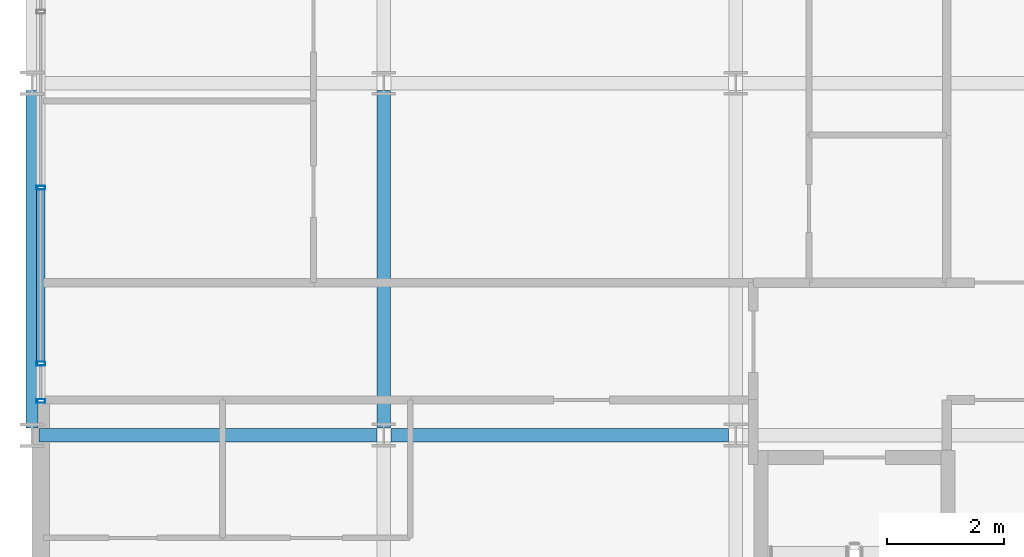
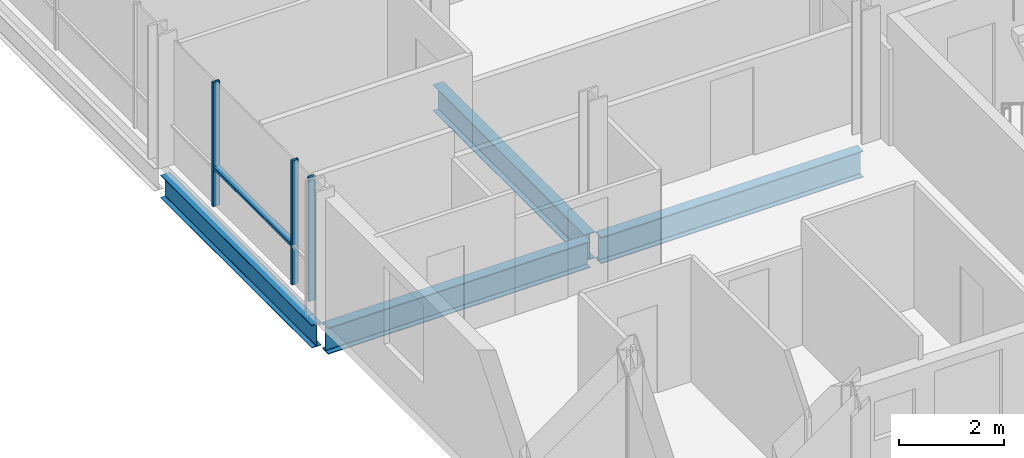
# One storey, part 4 of 41: 4 beams, 4 members, 1 element without a shape of its own.
"""IFC4 building model written with IfcOpenShell, lengths in metres."""

from ifc_helpers import new_model, si_unit, direction, frame, origin, origin_2d, place, context, subcontext, project, spatial, hollow_rectangle, i_section, extrude, material, layer, layer_set, material_profile, profile_set, type_object, element, aggregate, save


model = new_model("IFC4")

# Units and contexts
model_context = context("Model", 3, precision=1e-05, world=origin(), true_north=direction((0.0, 1.0)))
body_context = subcontext(model_context, "Body", "Model", "MODEL_VIEW")
ifc_project = project(units=[si_unit("LENGTHUNIT", "METRE"), si_unit("AREAUNIT", "SQUARE_METRE"), si_unit("VOLUMEUNIT", "CUBIC_METRE"), si_unit("PLANEANGLEUNIT", "RADIAN"), si_unit("MASSUNIT", "GRAM", prefix="KILO")], contexts=[model_context])

# Site, building, storey
site_placement = place(None, origin())
site = spatial("IfcSite", under=ifc_project, at=site_placement, CompositionType="ELEMENT")
building_placement = place(site_placement, origin())
building = spatial("IfcBuilding", under=site, at=building_placement, Name="Brevholm Reach", CompositionType="ELEMENT")
storey_placement = place(building_placement, frame((0.0, 0.0, 157.300048828125)))
storey = spatial("IfcBuildingStorey", under=building, at=storey_placement, Name="L47", CompositionType="ELEMENT", Elevation=157.300048828125)

# Beams
ifc_material_1 = material(Name="Structural Steel S355J2", Category="steel")
ifc_material_profile_1 = material_profile(ifc_material_1, i_section(OverallWidth=0.209228515625, OverallDepth=0.533203125, WebThickness=0.010009765625, FlangeThickness=0.015625, FilletRadius=0.0126953125, at=origin_2d()), Name="UKB 533x210x92")
ifc_profile_set_1 = profile_set([ifc_material_profile_1], Name="Structural Steel S355J2")
beam_type_1 = type_object("IfcBeamType", Name="BM-SP533", PredefinedType="SPANDREL", material=ifc_profile_set_1)
beam_placement = place(storey_placement, frame((0.0, 10.1201171875, -0.486572265625), z_axis=(0.0, 1.0, 0.0), x_axis=(-1.0, 0.0, 0.0)))
element("IfcBeam", 1, at=beam_placement, inside=storey, type_object=beam_type_1, Name="L47 SP-02 Framing Beam", PredefinedType="SPANDREL", context=body_context, shape_type="SweptSolid", body=[
    extrude(i_section(OverallWidth=0.209228515625, OverallDepth=0.533203125, WebThickness=0.010009765625, FlangeThickness=0.015625, FilletRadius=0.0126953125, at=origin_2d()), origin(), (0.0, 0.0, 1.0), 5.759765625),
])
ifc_material_2 = material(Name="Structural Steel S355J2", Category="steel")
ifc_material_profile_2 = material_profile(ifc_material_2, i_section(OverallWidth=0.22900390625, OverallDepth=0.6123046875, WebThickness=0.011962890625, FlangeThickness=0.01953125, FilletRadius=0.0126953125, at=origin_2d()), Name="UKB 610x229x125")
ifc_profile_set_2 = profile_set([ifc_material_profile_2], Name="Structural Steel S355J2")
beam_type_2 = type_object("IfcBeamType", Name="BM-SP610", PredefinedType="SPANDREL", material=ifc_profile_set_2)
for number, where, z_axis, x_axis, name in (
    (2, (0.1201171875, 10.0, -0.526123046875), (1.0, 0.0, 0.0), (0.0, 1.0, 0.0), "L47 SP-01 Framing Beam"),
    (3, (6.1201171875, 10.0, -0.526123046875), (1.0, 0.0, 0.0), (0.0, 1.0, 0.0), "L47 SP-01 Framing Beam"),
    (4, (6.0, 10.1201171875, -0.526123046875), (0.0, 1.0, 0.0), (-1.0, 0.0, 0.0), "L47 SP-01 Framing Beam"),
):
    element("IfcBeam", number, at=place(storey_placement, frame(where, z_axis=z_axis, x_axis=x_axis)), inside=storey, type_object=beam_type_2, Name=name, PredefinedType="SPANDREL", context=body_context, shape_type="SweptSolid", body=[
        extrude(i_section(OverallWidth=0.22900390625, OverallDepth=0.6123046875, WebThickness=0.011962890625, FlangeThickness=0.01953125, FilletRadius=0.0126953125, at=origin_2d()), origin(), (0.0, 0.0, 1.0), 5.759765625),
    ])

# Curtain wall, members
ifc_material_3 = material(Name="Dark Anodised Aluminium 6063-T6 and Solar-Control Glass", Category="aluminium")
ifc_layer = layer(ifc_material_3, 0.14990234375)
ifc_layer_set = layer_set([ifc_layer], Name="Dark Anodised Aluminium 6063-T6 and Solar-Control Glass")
curtain_wall_type = type_object("IfcCurtainWallType", Name="CW-01", PredefinedType="NOTDEFINED", material=ifc_layer_set)
curtain_wall_placement = place(storey_placement, origin())
curtain_wall = element("IfcCurtainWall", 5, at=curtain_wall_placement, inside=storey, type_object=curtain_wall_type, Name="L47 Curtain Wall CW-01", PredefinedType="NOTDEFINED")
ifc_material_4 = material(Name="Dark Anodised Aluminium 6063-T6", Category="aluminium")
ifc_material_profile_3 = material_profile(ifc_material_4, hollow_rectangle(XDim=0.06494140625, YDim=0.14990234375, WallThickness=0.0048828125, InnerFilletRadius=0.0048828125, OuterFilletRadius=0.010009765625, at=origin_2d()), Name="RHS 150x65x5")
ifc_profile_set_3 = profile_set([ifc_material_profile_3], Name="Dark Anodised Aluminium 6063-T6")
member_type_1 = type_object("IfcMemberType", Name="CWM-150", PredefinedType="MULLION", material=ifc_profile_set_3)
member_1_placement = place(storey_placement, frame((0.14990234375, 14.219970703125, 0.0), z_axis=(0.0, 0.0, 1.0), x_axis=(0.0, -1.0, 0.0)))
member_1 = element("IfcMember", 6, at=member_1_placement, type_object=member_type_1, Name="CM-150 Mullion 4", PredefinedType="MULLION", context=body_context, shape_type="SweptSolid", body=[
    extrude(hollow_rectangle(XDim=0.06494140625, YDim=0.14990234375, WallThickness=0.0048828125, InnerFilletRadius=0.0048828125, OuterFilletRadius=0.010009765625, at=origin_2d()), origin(), (0.0, 0.0, 1.0), 2.8798828125),
])
member_2_placement = place(storey_placement, frame((0.14990234375, 11.219970703125, 0.0), z_axis=(0.0, 0.0, 1.0), x_axis=(0.0, -1.0, 0.0)))
member_2 = element("IfcMember", 7, at=member_2_placement, type_object=member_type_1, Name="CM-150 Mullion 5", PredefinedType="MULLION", context=body_context, shape_type="SweptSolid", body=[
    extrude(hollow_rectangle(XDim=0.06494140625, YDim=0.14990234375, WallThickness=0.0048828125, InnerFilletRadius=0.0048828125, OuterFilletRadius=0.010009765625, at=origin_2d()), origin(), (0.0, 0.0, 1.0), 2.8798828125),
])
member_3_placement = place(storey_placement, frame((0.14990234375, 10.58251953125, 0.0), z_axis=(0.0, 0.0, 1.0), x_axis=(0.0, -1.0, 0.0)))
member_3 = element("IfcMember", 8, at=member_3_placement, type_object=member_type_1, Name="CM-150 Mullion 6", PredefinedType="MULLION", context=body_context, shape_type="SweptSolid", body=[
    extrude(hollow_rectangle(XDim=0.06494140625, YDim=0.14990234375, WallThickness=0.0048828125, InnerFilletRadius=0.0048828125, OuterFilletRadius=0.010009765625, at=origin_2d()), origin(), (0.0, 0.0, 1.0), 2.8798828125),
])
ifc_material_5 = material(Name="Dark Anodised Aluminium 6063-T6", Category="aluminium")
ifc_material_profile_4 = material_profile(ifc_material_5, hollow_rectangle(XDim=0.06494140625, YDim=0.14990234375, WallThickness=0.0048828125, InnerFilletRadius=0.0048828125, OuterFilletRadius=0.010009765625, at=origin_2d()), Name="RHS 150x65x5")
ifc_profile_set_4 = profile_set([ifc_material_profile_4], Name="Dark Anodised Aluminium 6063-T6")
member_type_2 = type_object("IfcMemberType", Name="CWT-150", PredefinedType="NOTDEFINED", material=ifc_profile_set_4)
member_4_placement = place(storey_placement, frame((0.14990234375, 14.1875, 0.89990234375), z_axis=(0.0, -1.0, 0.0), x_axis=(0.0, 0.0, 1.0)))
member_4 = element("IfcMember", 9, at=member_4_placement, type_object=member_type_2, Name="CT-150 Transom 4.1", ObjectType="TRANSOM", PredefinedType="USERDEFINED", context=body_context, shape_type="SweptSolid", body=[
    extrude(hollow_rectangle(XDim=0.06494140625, YDim=0.14990234375, WallThickness=0.0048828125, InnerFilletRadius=0.0048828125, OuterFilletRadius=0.010009765625, at=origin_2d()), origin(), (0.0, 0.0, 1.0), 2.93505859375),
])
aggregate(curtain_wall, [member_1, member_2, member_3, member_4])

save(model, "model.ifc")
